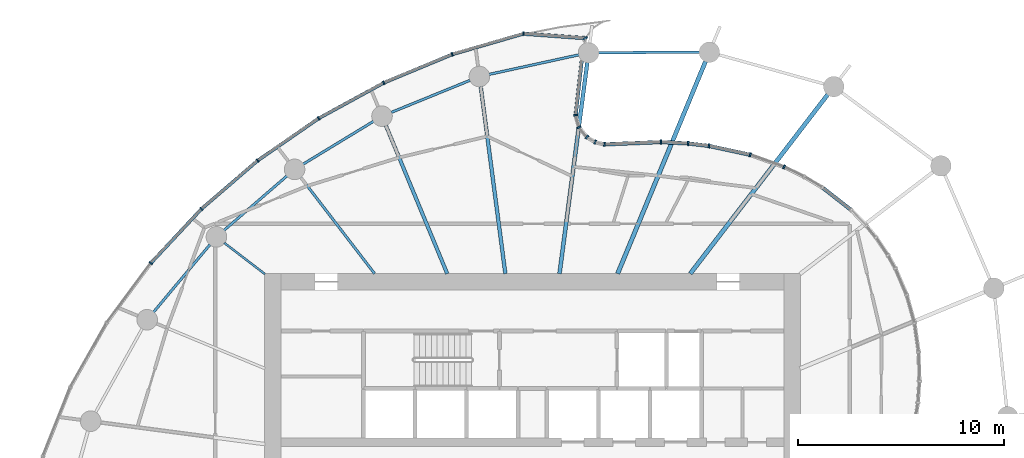
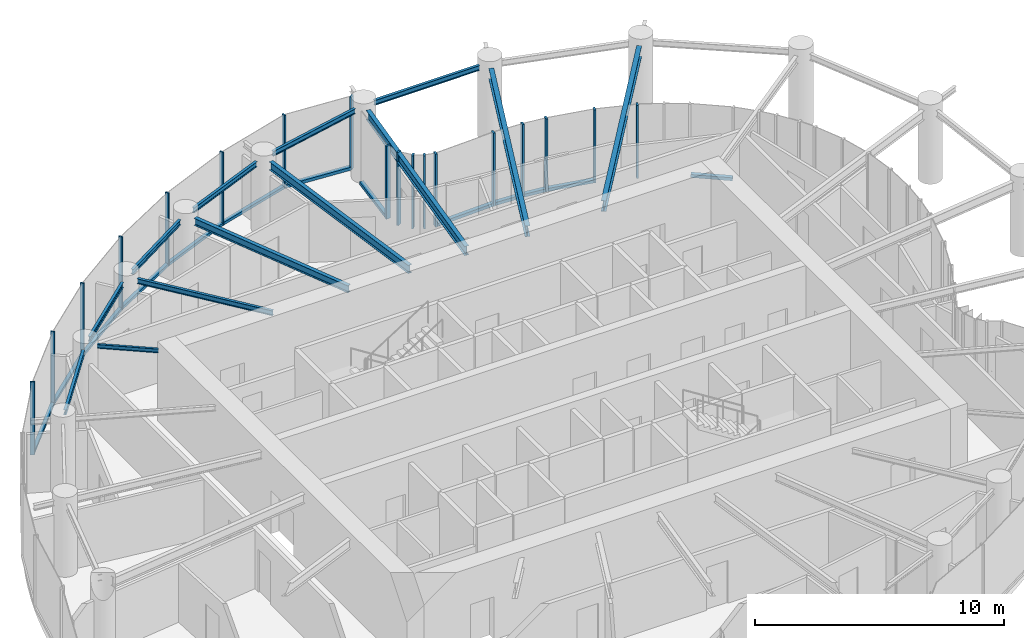
# One storey, part 6 of 19: 31 members, 13 beams, 5 elements without a shape of their own.
"""IFC4 building model written with IfcOpenShell, lengths in metres."""

from ifc_helpers import new_model, si_unit, direction, frame, origin, origin_2d, place, context, subcontext, project, spatial, rectangle, i_section, extrude, source, transform, mapped, material, layer, layer_set, material_profile, profile_set, type_object, element, aggregate, save


model = new_model("IFC4")

# Units and contexts
model_context = context("Model", 3, precision=1e-05, world=origin(), true_north=direction((0.0, 1.0)))
body_context = subcontext(model_context, "Body", "Model", "MODEL_VIEW")
ifc_project = project(units=[si_unit("LENGTHUNIT", "METRE"), si_unit("AREAUNIT", "SQUARE_METRE"), si_unit("VOLUMEUNIT", "CUBIC_METRE"), si_unit("PLANEANGLEUNIT", "RADIAN"), si_unit("MASSUNIT", "GRAM", prefix="KILO")], contexts=[model_context])

# Site, building, storey
site_placement = place(None, origin())
site = spatial("IfcSite", under=ifc_project, at=site_placement, CompositionType="ELEMENT")
building_placement = place(site_placement, origin())
building = spatial("IfcBuilding", under=site, at=building_placement, Name="Spindrift Exchange Tower", CompositionType="ELEMENT")
storey_placement = place(building_placement, frame((0.0, 0.0, 137.0)))
storey = spatial("IfcBuildingStorey", under=building, at=storey_placement, Name="L32", CompositionType="ELEMENT", Elevation=137.0)

# Beams
ifc_material_1 = material(Name="Steel Grade 300", Category="steel")
ifc_material_profile_1 = material_profile(ifc_material_1, i_section(OverallWidth=0.208984375, OverallDepth=0.528076171875, WebThickness=0.009521484375, FlangeThickness=0.01318359375, FilletRadius=0.013916015625, at=origin_2d()), Name="530UB82.0")
ifc_profile_set_1 = profile_set([ifc_material_profile_1], Name="Steel Grade 300")
beam_type_1 = type_object("IfcBeamType", Name="Floor Beam 530UB82.0 Steel Grade 300", PredefinedType="BEAM", material=ifc_profile_set_1)
shared_shape_1 = source(origin(), body_context, "Body", "SweptSolid", [
    extrude(i_section(OverallWidth=0.208984375, OverallDepth=0.528076171875, WebThickness=0.009521484375, FlangeThickness=0.01318359375, FilletRadius=0.013916015625, at=origin_2d()), origin(), (0.0, 0.0, 1.0), 10.959228515625),
])
beam_1_placement = place(storey_placement, frame((59.6611328125, 57.984130859375, 3.31591796875), z_axis=(0.608764008616, 0.793351360882, 0.0), x_axis=(-0.793351360882, 0.608764008616, 0.0)))
element("IfcBeam", 1, at=beam_1_placement, inside=storey, type_object=beam_type_1, Name="L32 radial beam R04A", PredefinedType="BEAM", context=body_context, shape_type="MappedRepresentation", body=[
    mapped(shared_shape_1, transform((0.0, 0.0, 0.0), scale=1.0)),
])
shared_shape_2 = source(origin(), body_context, "Body", "SweptSolid", [
    extrude(i_section(OverallWidth=0.208984375, OverallDepth=0.528076171875, WebThickness=0.009521484375, FlangeThickness=0.01318359375, FilletRadius=0.013916015625, at=origin_2d()), origin(), (0.0, 0.0, 1.0), 11.155029296875),
])
beam_2_placement = place(storey_placement, frame((56.134521484375, 57.9814453125, 3.31591796875), z_axis=(0.382679750175, 0.923881057716, 0.0), x_axis=(-0.923881057716, 0.382679750175, 0.0)))
element("IfcBeam", 2, at=beam_2_placement, inside=storey, type_object=beam_type_1, Name="L32 radial beam R05A", PredefinedType="BEAM", context=body_context, shape_type="MappedRepresentation", body=[
    mapped(shared_shape_2, transform((0.0, 0.0, 0.0), scale=1.0)),
])
ifc_material_profile_2 = material_profile(ifc_material_1, i_section(OverallWidth=0.18994140625, OverallDepth=0.4541015625, WebThickness=0.008544921875, FlangeThickness=0.0126953125, FilletRadius=0.013916015625, at=origin_2d()), Name="460UB67.1")
ifc_profile_set_2 = profile_set([ifc_material_profile_2], Name="Steel Grade 300")
beam_type_2 = type_object("IfcBeamType", Name="Floor Beam 460UB67.1 Steel Grade 300", PredefinedType="BEAM", material=ifc_profile_set_2)
shared_shape_3 = source(origin(), body_context, "Body", "SweptSolid", [
    extrude(i_section(OverallWidth=0.18994140625, OverallDepth=0.4541015625, WebThickness=0.008544921875, FlangeThickness=0.0126953125, FilletRadius=0.013916015625, at=origin_2d()), origin(), (0.0, 0.0, 1.0), 10.337646484375),
])
beam_3_placement = place(storey_placement, frame((53.31396484375, 57.980224609375, 3.35302734375), z_axis=(0.130528432357, 0.991444566452, 0.0), x_axis=(-0.991444566452, 0.130528432357, 0.0)))
element("IfcBeam", 3, at=beam_3_placement, inside=storey, type_object=beam_type_2, Name="L32 radial beam R06A", PredefinedType="BEAM", context=body_context, shape_type="MappedRepresentation", body=[
    mapped(shared_shape_3, transform((0.0, 0.0, 0.0), scale=1.0)),
])
ifc_material_profile_3 = material_profile(ifc_material_1, i_section(OverallWidth=0.177978515625, OverallDepth=0.403076171875, WebThickness=0.007568359375, FlangeThickness=0.010986328125, FilletRadius=0.013916015625, at=origin_2d()), Name="410UB53.7")
ifc_profile_set_3 = profile_set([ifc_material_profile_3], Name="Steel Grade 300")
beam_type_3 = type_object("IfcBeamType", Name="Floor Beam 410UB53.7 Steel Grade 300", PredefinedType="BEAM", material=ifc_profile_set_3)
shared_shape_4 = source(origin(), body_context, "Body", "SweptSolid", [
    extrude(i_section(OverallWidth=0.177978515625, OverallDepth=0.403076171875, WebThickness=0.007568359375, FlangeThickness=0.010986328125, FilletRadius=0.013916015625, at=origin_2d()), origin(), (0.0, 0.0, 1.0), 9.173583984375),
])
beam_4_placement = place(storey_placement, frame((50.68603515625, 57.980224609375, 3.37841796875), z_axis=(-0.130510963431, 0.991446866163, 0.0), x_axis=(-0.991446866163, -0.130510963431, 0.0)))
element("IfcBeam", 4, at=beam_4_placement, inside=storey, type_object=beam_type_3, Name="L32 radial beam R07A", PredefinedType="BEAM", context=body_context, shape_type="MappedRepresentation", body=[
    mapped(shared_shape_4, transform((0.0, 0.0, 0.0), scale=1.0)),
])
ifc_material_profile_4 = material_profile(ifc_material_1, i_section(OverallWidth=0.1708984375, OverallDepth=0.35205078125, WebThickness=0.0068359375, FlangeThickness=0.009765625, FilletRadius=0.013916015625, at=origin_2d()), Name="360UB44.7")
ifc_profile_set_4 = profile_set([ifc_material_profile_4], Name="Steel Grade 300")
beam_type_4 = type_object("IfcBeamType", Name="Floor Beam 360UB44.7 Steel Grade 300", PredefinedType="BEAM", material=ifc_profile_set_4)
shared_shape_5 = source(origin(), body_context, "Body", "SweptSolid", [
    extrude(i_section(OverallWidth=0.1708984375, OverallDepth=0.35205078125, WebThickness=0.0068359375, FlangeThickness=0.009765625, FilletRadius=0.013916015625, at=origin_2d()), origin(), (0.0, 0.0, 1.0), 7.794189453125),
])
beam_5_placement = place(storey_placement, frame((47.865478515625, 57.9814453125, 3.404052734375), z_axis=(-0.382677309185, 0.923882068792, 0.0), x_axis=(-0.923882068792, -0.382677309185, 0.0)))
element("IfcBeam", 5, at=beam_5_placement, inside=storey, type_object=beam_type_4, Name="L32 radial beam R08A", PredefinedType="BEAM", context=body_context, shape_type="MappedRepresentation", body=[
    mapped(shared_shape_5, transform((0.0, 0.0, 0.0), scale=1.0)),
])
ifc_material_profile_5 = material_profile(ifc_material_1, i_section(OverallWidth=0.1240234375, OverallDepth=0.248046875, WebThickness=0.0048828125, FlangeThickness=0.008056640625, FilletRadius=0.011962890625, at=origin_2d()), Name="250UB25.7")
ifc_profile_set_5 = profile_set([ifc_material_profile_5], Name="Steel Grade 300")
beam_type_5 = type_object("IfcBeamType", Name="Floor Beam 250UB25.7 Steel Grade 300", PredefinedType="BEAM", material=ifc_profile_set_5)
shared_shape_6 = source(origin(), body_context, "Body", "SweptSolid", [
    extrude(i_section(OverallWidth=0.1240234375, OverallDepth=0.248046875, WebThickness=0.0048828125, FlangeThickness=0.008056640625, FilletRadius=0.011962890625, at=origin_2d()), origin(), (0.0, 0.0, 1.0), 5.898193359375),
])
beam_6_placement = place(storey_placement, frame((44.3388671875, 57.984130859375, 3.4560546875), z_axis=(-0.608752144407, 0.79336046453, 0.0), x_axis=(-0.79336046453, -0.608752144407, 0.0)))
element("IfcBeam", 6, at=beam_6_placement, inside=storey, type_object=beam_type_5, Name="L32 radial beam R09A", PredefinedType="BEAM", context=body_context, shape_type="MappedRepresentation", body=[
    mapped(shared_shape_6, transform((0.0, 0.0, 0.0), scale=1.0)),
])
ifc_material_profile_6 = material_profile(ifc_material_1, i_section(OverallWidth=0.09912109375, OverallDepth=0.197998046875, WebThickness=0.00439453125, FlangeThickness=0.007080078125, FilletRadius=0.010986328125, at=origin_2d()), Name="200UB18.2")
ifc_profile_set_6 = profile_set([ifc_material_profile_6], Name="Steel Grade 300")
beam_type_6 = type_object("IfcBeamType", Name="Floor Beam 200UB18.2 Steel Grade 300", PredefinedType="BEAM", material=ifc_profile_set_6)
shared_shape_7 = source(origin(), body_context, "Body", "SweptSolid", [
    extrude(i_section(OverallWidth=0.09912109375, OverallDepth=0.197998046875, WebThickness=0.00439453125, FlangeThickness=0.007080078125, FilletRadius=0.010986328125, at=origin_2d()), origin(), (0.0, 0.0, 1.0), 2.48486328125),
])
beam_7_placement = place(storey_placement, frame((39.015869140625, 57.963134765625, 3.48095703125), z_axis=(-0.793361189889, 0.608751199077, 0.0), x_axis=(-0.608751199077, -0.793361189889, 0.0)))
element("IfcBeam", 7, at=beam_7_placement, inside=storey, type_object=beam_type_6, Name="L32 radial beam R10A", PredefinedType="BEAM", context=body_context, shape_type="MappedRepresentation", body=[
    mapped(shared_shape_7, transform((0.0, 0.0, 0.0), scale=1.0)),
])
ifc_material_profile_7 = material_profile(ifc_material_1, i_section(OverallWidth=0.1240234375, OverallDepth=0.248046875, WebThickness=0.0048828125, FlangeThickness=0.008056640625, FilletRadius=0.011962890625, at=origin_2d()), Name="250UB25.7")
ifc_profile_set_7 = profile_set([ifc_material_profile_7], Name="Steel Grade 300")
beam_type_7 = type_object("IfcBeamType", Name="Edge Beam 250UB25.7 Steel Grade 300", PredefinedType="SPANDREL", material=ifc_profile_set_7)
shared_shape_8 = source(origin(), body_context, "Body", "SweptSolid", [
    extrude(i_section(OverallWidth=0.1240234375, OverallDepth=0.248046875, WebThickness=0.0048828125, FlangeThickness=0.008056640625, FilletRadius=0.011962890625, at=origin_2d()), origin(), (0.0, 0.0, 1.0), 4.901123046875),
])
beam_8_placement = place(storey_placement, frame((60.10693359375, 68.728759765625, 3.4560546875), z_axis=(-0.999990609444, -0.004333707747, 0.0), x_axis=(0.004333707747, -0.999990609444, 0.0)))
element("IfcBeam", 8, at=beam_8_placement, inside=storey, type_object=beam_type_7, Name="L32 edge beam E05", PredefinedType="SPANDREL", context=body_context, shape_type="MappedRepresentation", body=[
    mapped(shared_shape_8, transform((0.0, 0.0, 0.0), scale=1.0)),
])
shared_shape_9 = source(origin(), body_context, "Body", "SweptSolid", [
    extrude(i_section(OverallWidth=0.1240234375, OverallDepth=0.248046875, WebThickness=0.0048828125, FlangeThickness=0.008056640625, FilletRadius=0.011962890625, at=origin_2d()), origin(), (0.0, 0.0, 1.0), 4.464111328125),
])
beam_9_placement = place(storey_placement, frame((54.2568359375, 68.603271484375, 3.4560546875), z_axis=(-0.977095837978, -0.212799726048, 0.0), x_axis=(0.212799726048, -0.977095837978, 0.0)))
element("IfcBeam", 9, at=beam_9_placement, inside=storey, type_object=beam_type_7, Name="L32 edge beam E06", PredefinedType="SPANDREL", context=body_context, shape_type="MappedRepresentation", body=[
    mapped(shared_shape_9, transform((0.0, 0.0, 0.0), scale=1.0)),
])
shared_shape_10 = source(origin(), body_context, "Body", "SweptSolid", [
    extrude(i_section(OverallWidth=0.1240234375, OverallDepth=0.248046875, WebThickness=0.0048828125, FlangeThickness=0.008056640625, FilletRadius=0.011962890625, at=origin_2d()), origin(), (0.0, 0.0, 1.0), 4.143798828125),
])
beam_10_placement = place(storey_placement, frame((48.9814453125, 67.3701171875, 3.4560546875), z_axis=(-0.926113706975, -0.377244485385, 0.0), x_axis=(0.377244485385, -0.926113706975, 0.0)))
element("IfcBeam", 10, at=beam_10_placement, inside=storey, type_object=beam_type_7, Name="L32 edge beam E07", PredefinedType="SPANDREL", context=body_context, shape_type="MappedRepresentation", body=[
    mapped(shared_shape_10, transform((0.0, 0.0, 0.0), scale=1.0)),
])
shared_shape_11 = source(origin(), body_context, "Body", "SweptSolid", [
    extrude(i_section(OverallWidth=0.1240234375, OverallDepth=0.248046875, WebThickness=0.0048828125, FlangeThickness=0.008056640625, FilletRadius=0.011962890625, at=origin_2d()), origin(), (0.0, 0.0, 1.0), 4.00634765625),
])
beam_11_placement = place(storey_placement, frame((44.2890625, 65.376220703125, 3.4560546875), z_axis=(-0.854331495603, -0.519728482596, 0.0), x_axis=(0.519728482596, -0.854331495603, 0.0)))
element("IfcBeam", 11, at=beam_11_placement, inside=storey, type_object=beam_type_7, Name="L32 edge beam E08", PredefinedType="SPANDREL", context=body_context, shape_type="MappedRepresentation", body=[
    mapped(shared_shape_11, transform((0.0, 0.0, 0.0), scale=1.0)),
])
shared_shape_12 = source(origin(), body_context, "Body", "SweptSolid", [
    extrude(i_section(OverallWidth=0.1240234375, OverallDepth=0.248046875, WebThickness=0.0048828125, FlangeThickness=0.008056640625, FilletRadius=0.011962890625, at=origin_2d()), origin(), (0.0, 0.0, 1.0), 4.052001953125),
])
beam_12_placement = place(storey_placement, frame((40.093017578125, 62.730712890625, 3.4560546875), z_axis=(-0.756715968535, -0.65374379, 0.0), x_axis=(0.65374379, -0.756715968535, 0.0)))
element("IfcBeam", 12, at=beam_12_placement, inside=storey, type_object=beam_type_7, Name="L32 edge beam E09", PredefinedType="SPANDREL", context=body_context, shape_type="MappedRepresentation", body=[
    mapped(shared_shape_12, transform((0.0, 0.0, 0.0), scale=1.0)),
])
shared_shape_13 = source(origin(), body_context, "Body", "SweptSolid", [
    extrude(i_section(OverallWidth=0.1240234375, OverallDepth=0.248046875, WebThickness=0.0048828125, FlangeThickness=0.008056640625, FilletRadius=0.011962890625, at=origin_2d()), origin(), (0.0, 0.0, 1.0), 4.282958984375),
])
beam_13_placement = place(storey_placement, frame((36.355712890625, 59.399658203125, 3.4560546875), z_axis=(-0.641400288548, -0.767206406289, 0.0), x_axis=(0.767206406289, -0.641400288548, 0.0)))
element("IfcBeam", 13, at=beam_13_placement, inside=storey, type_object=beam_type_7, Name="L32 edge beam E10", PredefinedType="SPANDREL", context=body_context, shape_type="MappedRepresentation", body=[
    mapped(shared_shape_13, transform((0.0, 0.0, 0.0), scale=1.0)),
])

# Curtain wall, members
ifc_material_2 = material(Name="Fritted laminated glass with bronze frame", Category="glass")
ifc_layer_1 = layer(ifc_material_2, 0.179931640625)
ifc_layer_set_1 = layer_set([ifc_layer_1], Name="ZONE 3 BRONZE FRITTED WALL")
curtain_wall_type_1 = type_object("IfcCurtainWallType", Name="ZONE 3 BRONZE FRITTED WALL", PredefinedType="NOTDEFINED", material=ifc_layer_set_1)
curtain_wall_1_placement = place(storey_placement, origin())
curtain_wall_1 = element("IfcCurtainWall", 14, at=curtain_wall_1_placement, inside=storey, type_object=curtain_wall_type_1, Name="L32 Zone 3 Bronze Fritted Wall run 1", PredefinedType="NOTDEFINED")
ifc_material_3 = material(Name="Bronze anodised aluminium", Category="aluminium")
ifc_material_profile_8 = material_profile(ifc_material_3, rectangle(XDim=0.159912109375, YDim=0.1298828125, at=origin_2d()), Name="ZONE 3 BRONZE FRITTED WALL TRANSOM 160X130")
ifc_profile_set_8 = profile_set([ifc_material_profile_8], Name="Bronze anodised aluminium")
member_type_1 = type_object("IfcMemberType", Name="ZONE 3 BRONZE FRITTED WALL TRANSOM 160X130", PredefinedType="USERDEFINED", material=ifc_profile_set_8)
shared_shape_14 = source(origin(), body_context, "Body", "SweptSolid", [
    extrude(rectangle(XDim=0.159912109375, YDim=0.1298828125, at=origin_2d()), origin(), (0.0, 0.0, 1.0), 3.53076171875),
])
member_1_placement = place(storey_placement, frame((51.53466796875, 69.62060546875, 0.06494140625), z_axis=(-0.960467973854, -0.278390501277, 0.0), x_axis=(0.278390501277, -0.960467973854, 0.0)))
member_1 = element("IfcMember", 15, at=member_1_placement, type_object=member_type_1, Name="L32 transom CW-3.1", ObjectType="TRANSOM", PredefinedType="USERDEFINED", context=body_context, shape_type="MappedRepresentation", body=[
    mapped(shared_shape_14, transform((0.0, 0.0, 0.0), scale=1.0)),
])
member_2_placement = place(storey_placement, frame((48.07763671875, 68.614501953125, 0.06494140625), z_axis=(-0.92366094205, -0.383210730711, 0.0), x_axis=(0.383210730711, -0.92366094205, 0.0)))
member_2 = element("IfcMember", 16, at=member_2_placement, type_object=member_type_1, Name="L32 transom CW-3.2", ObjectType="TRANSOM", PredefinedType="USERDEFINED", context=body_context, shape_type="MappedRepresentation", body=[
    mapped(shared_shape_14, transform((0.0, 0.0, 0.0), scale=1.0)),
])
member_3_placement = place(storey_placement, frame((44.75341796875, 67.231201171875, 0.06494140625), z_axis=(-0.87752800567, -0.479525389593, 0.0), x_axis=(0.479525389593, -0.87752800567, 0.0)))
member_3 = element("IfcMember", 17, at=member_3_placement, type_object=member_type_1, Name="L32 transom CW-3.3", ObjectType="TRANSOM", PredefinedType="USERDEFINED", context=body_context, shape_type="MappedRepresentation", body=[
    mapped(shared_shape_14, transform((0.0, 0.0, 0.0), scale=1.0)),
])
member_4_placement = place(storey_placement, frame((38.635986328125, 63.4501953125, 0.06494140625), z_axis=(-0.757893199718, -0.652378646049, 0.0), x_axis=(0.652378646049, -0.757893199718, 0.0)))
member_4 = element("IfcMember", 18, at=member_4_placement, type_object=member_type_1, Name="L32 transom CW-3.5", ObjectType="TRANSOM", PredefinedType="USERDEFINED", context=body_context, shape_type="MappedRepresentation", body=[
    mapped(shared_shape_14, transform((0.0, 0.0, 0.0), scale=1.0)),
])
member_5_placement = place(storey_placement, frame((35.90966796875, 61.098388671875, 0.06494140625), z_axis=(-0.682704960437, -0.730694147366, 0.0), x_axis=(0.730694147366, -0.682704960437, 0.0)))
member_5 = element("IfcMember", 19, at=member_5_placement, type_object=member_type_1, Name="L32 transom CW-3.6", ObjectType="TRANSOM", PredefinedType="USERDEFINED", context=body_context, shape_type="MappedRepresentation", body=[
    mapped(shared_shape_14, transform((0.0, 0.0, 0.0), scale=1.0)),
])
shared_shape_15 = source(origin(), body_context, "Body", "SweptSolid", [
    extrude(rectangle(XDim=0.159912109375, YDim=0.1298828125, at=origin_2d()), origin(), (0.0, 0.0, 1.0), 3.531005859375),
])
member_6_placement = place(storey_placement, frame((41.595458984375, 65.50146484375, 0.06494140625), z_axis=(-0.822450976431, -0.568835996898, 0.0), x_axis=(0.568835996898, -0.822450976431, 0.0)))
member_6 = element("IfcMember", 20, at=member_6_placement, type_object=member_type_1, Name="L32 transom CW-3.4", ObjectType="TRANSOM", PredefinedType="USERDEFINED", context=body_context, shape_type="MappedRepresentation", body=[
    mapped(shared_shape_15, transform((0.0, 0.0, 0.0), scale=1.0)),
])

# Curtain wall, member
ifc_layer_2 = layer(ifc_material_2, 0.199951171875)
ifc_layer_set_2 = layer_set([ifc_layer_2], Name="SKY GARDEN BRONZE GLAZED WALL")
curtain_wall_type_2 = type_object("IfcCurtainWallType", Name="SKY GARDEN BRONZE GLAZED WALL", PredefinedType="NOTDEFINED", material=ifc_layer_set_2)
curtain_wall_2_placement = place(storey_placement, origin())
curtain_wall_2 = element("IfcCurtainWall", 21, at=curtain_wall_2_placement, inside=storey, type_object=curtain_wall_type_2, Name="L32 Sky Garden Bronze Glazed Wall run 9", PredefinedType="NOTDEFINED")
ifc_material_profile_9 = material_profile(ifc_material_3, rectangle(XDim=0.179931640625, YDim=0.14990234375, at=origin_2d()), Name="SKY GARDEN BRONZE GLAZED WALL TRANSOM 180X150")
ifc_profile_set_9 = profile_set([ifc_material_profile_9], Name="Bronze anodised aluminium")
member_type_2 = type_object("IfcMemberType", Name="SKY GARDEN BRONZE GLAZED WALL TRANSOM 180X150", PredefinedType="USERDEFINED", material=ifc_profile_set_9)
shared_shape_16 = source(origin(), body_context, "Body", "SweptSolid", [
    extrude(rectangle(XDim=0.179931640625, YDim=0.14990234375, at=origin_2d()), origin(), (0.0, 0.0, 1.0), 1.68798828125),
])
member_7_placement = place(storey_placement, frame((67.440673828125, 61.095947265625, 0.074951171875), z_axis=(-0.787721661337, 0.616031317597, 0.0), x_axis=(-0.616031317597, -0.787721661337, 0.0)))
member_7 = element("IfcMember", 22, at=member_7_placement, type_object=member_type_2, Name="L32 transom CW-G.48", ObjectType="TRANSOM", PredefinedType="USERDEFINED", context=body_context, shape_type="MappedRepresentation", body=[
    mapped(shared_shape_16, transform((0.0, 0.0, 0.0), scale=1.0)),
])

# Curtain wall, members
curtain_wall_3_placement = place(storey_placement, origin())
curtain_wall_3 = element("IfcCurtainWall", 23, at=curtain_wall_3_placement, inside=storey, type_object=curtain_wall_type_2, Name="L32 Sky Garden Bronze Glazed Wall run 10", PredefinedType="NOTDEFINED")
shared_shape_17 = source(origin(), body_context, "Body", "SweptSolid", [
    extrude(rectangle(XDim=0.179931640625, YDim=0.14990234375, at=origin_2d()), origin(), (0.0, 0.0, 1.0), 0.93701171875),
])
member_8_placement = place(storey_placement, frame((60.528076171875, 64.187255859375, 0.074951171875), z_axis=(-0.993104290837, 0.117234242098, 0.0), x_axis=(-0.117234242098, -0.993104290837, 0.0)))
member_8 = element("IfcMember", 24, at=member_8_placement, type_object=member_type_2, Name="L32 transom CW-G.53", ObjectType="TRANSOM", PredefinedType="USERDEFINED", context=body_context, shape_type="MappedRepresentation", body=[
    mapped(shared_shape_17, transform((0.0, 0.0, 0.0), scale=1.0)),
])
shared_shape_18 = source(origin(), body_context, "Body", "SweptSolid", [
    extrude(rectangle(XDim=0.179931640625, YDim=0.14990234375, at=origin_2d()), origin(), (0.0, 0.0, 1.0), 1.231201171875),
])
member_9_placement = place(storey_placement, frame((59.512939453125, 64.30419921875, 0.074951171875), z_axis=(-0.998659688457, 0.051757382583, 0.0), x_axis=(-0.051757382583, -0.998659688457, 0.0)))
member_9 = element("IfcMember", 25, at=member_9_placement, type_object=member_type_2, Name="L32 transom CW-G.54", ObjectType="TRANSOM", PredefinedType="USERDEFINED", context=body_context, shape_type="MappedRepresentation", body=[
    mapped(shared_shape_18, transform((0.0, 0.0, 0.0), scale=1.0)),
])

# Curtain wall, member
curtain_wall_4_placement = place(storey_placement, origin())
curtain_wall_4 = element("IfcCurtainWall", 26, at=curtain_wall_4_placement, inside=storey, type_object=curtain_wall_type_2, Name="L32 Sky Garden Bronze Glazed Wall run 11", PredefinedType="NOTDEFINED")
shared_shape_19 = source(origin(), body_context, "Body", "SweptSolid", [
    extrude(rectangle(XDim=0.179931640625, YDim=0.14990234375, at=origin_2d()), origin(), (0.0, 0.0, 1.0), 2.93701171875),
])
member_10_placement = place(storey_placement, frame((54.5400390625, 69.415283203125, 0.074951171875), z_axis=(-0.997387747687, 0.072233515521, 0.0), x_axis=(-0.072233515521, -0.997387747687, 0.0)))
member_10 = element("IfcMember", 27, at=member_10_placement, type_object=member_type_2, Name="L32 transom CW-G.62", ObjectType="TRANSOM", PredefinedType="USERDEFINED", context=body_context, shape_type="MappedRepresentation", body=[
    mapped(shared_shape_19, transform((0.0, 0.0, 0.0), scale=1.0)),
])

# Member
ifc_material_profile_10 = material_profile(ifc_material_3, rectangle(XDim=0.070068359375, YDim=0.179931640625, at=origin_2d()), Name="ZONE 3 BRONZE FRITTED WALL MULLION 70X180")
ifc_profile_set_10 = profile_set([ifc_material_profile_10], Name="Bronze anodised aluminium")
member_type_3 = type_object("IfcMemberType", Name="ZONE 3 BRONZE FRITTED WALL MULLION 70X180", PredefinedType="MULLION", material=ifc_profile_set_10)
shared_shape_20 = source(origin(), body_context, "Body", "SweptSolid", [
    extrude(rectangle(XDim=0.070068359375, YDim=0.179931640625, at=origin_2d()), origin(), (0.0, 0.0, 1.0), 3.580078125),
])
member_11_placement = place(storey_placement, frame((51.568115234375, 69.63037109375, 0.0), z_axis=(0.0, 0.0, 1.0), x_axis=(-0.994500024703, -0.104736339753, 0.0)))
member_11 = element("IfcMember", 28, at=member_11_placement, type_object=member_type_3, Name="L32 mullion CW-3.1", PredefinedType="MULLION", context=body_context, shape_type="MappedRepresentation", body=[
    mapped(shared_shape_20, transform((0.0, 0.0, 0.0), scale=1.0)),
])

member_12_placement = place(storey_placement, frame((48.10986328125, 68.6279296875, 0.0), z_axis=(0.0, 0.0, 1.0), x_axis=(-0.94351693889, -0.331324291334, 0.0)))
member_12 = element("IfcMember", 29, at=member_12_placement, type_object=member_type_3, Name="L32 mullion CW-3.2", PredefinedType="MULLION", context=body_context, shape_type="MappedRepresentation", body=[
    mapped(shared_shape_20, transform((0.0, 0.0, 0.0), scale=1.0)),
])

member_13_placement = place(storey_placement, frame((44.7841796875, 67.248046875, 0.0), z_axis=(0.0, 0.0, 1.0), x_axis=(-0.901877940736, -0.431990948996, 0.0)))
member_13 = element("IfcMember", 30, at=member_13_placement, type_object=member_type_3, Name="L32 mullion CW-3.3", PredefinedType="MULLION", context=body_context, shape_type="MappedRepresentation", body=[
    mapped(shared_shape_20, transform((0.0, 0.0, 0.0), scale=1.0)),
])

member_14_placement = place(storey_placement, frame((41.624267578125, 65.521484375, 0.0), z_axis=(0.0, 0.0, 1.0), x_axis=(-0.851160294176, -0.524905852147, 0.0)))
member_14 = element("IfcMember", 31, at=member_14_placement, type_object=member_type_3, Name="L32 mullion CW-3.4", PredefinedType="MULLION", context=body_context, shape_type="MappedRepresentation", body=[
    mapped(shared_shape_20, transform((0.0, 0.0, 0.0), scale=1.0)),
])

member_15_placement = place(storey_placement, frame((38.66259765625, 63.472900390625, 0.0), z_axis=(0.0, 0.0, 1.0), x_axis=(-0.791281483394, -0.611452053752, 0.0)))
member_15 = element("IfcMember", 32, at=member_15_placement, type_object=member_type_3, Name="L32 mullion CW-3.5", PredefinedType="MULLION", context=body_context, shape_type="MappedRepresentation", body=[
    mapped(shared_shape_20, transform((0.0, 0.0, 0.0), scale=1.0)),
])

member_16_placement = place(storey_placement, frame((35.93359375, 61.1240234375, 0.0), z_axis=(0.0, 0.0, 1.0), x_axis=(-0.721366777632, -0.692553226928, 0.0)))
member_16 = element("IfcMember", 33, at=member_16_placement, type_object=member_type_3, Name="L32 mullion CW-3.6", PredefinedType="MULLION", context=body_context, shape_type="MappedRepresentation", body=[
    mapped(shared_shape_20, transform((0.0, 0.0, 0.0), scale=1.0)),
])

aggregate(curtain_wall_1, [member_11, member_1, member_12, member_2, member_13, member_3, member_14, member_6, member_15, member_4, member_16, member_5])

# Curtain wall, member
curtain_wall_5_placement = place(storey_placement, origin())
curtain_wall_5 = element("IfcCurtainWall", 34, at=curtain_wall_5_placement, inside=storey, type_object=curtain_wall_type_1, Name="L32 Zone 3 Bronze Fritted Wall run 2", PredefinedType="NOTDEFINED")
member_17_placement = place(storey_placement, frame((33.475341796875, 58.492919921875, 0.0), z_axis=(0.0, 0.0, 1.0), x_axis=(-0.639818077143, -0.768526400432, 0.0)))
member_17 = element("IfcMember", 35, at=member_17_placement, type_object=member_type_3, Name="L32 mullion CW-3.7", PredefinedType="MULLION", context=body_context, shape_type="MappedRepresentation", body=[
    mapped(shared_shape_20, transform((0.0, 0.0, 0.0), scale=1.0)),
])
aggregate(curtain_wall_5, [member_17])

# Member
ifc_material_profile_11 = material_profile(ifc_material_3, rectangle(XDim=0.0849609375, YDim=0.199951171875, at=origin_2d()), Name="SKY GARDEN BRONZE GLAZED WALL MULLION 85X200")
ifc_profile_set_11 = profile_set([ifc_material_profile_11], Name="Bronze anodised aluminium")
member_type_4 = type_object("IfcMemberType", Name="SKY GARDEN BRONZE GLAZED WALL MULLION 85X200", PredefinedType="MULLION", material=ifc_profile_set_11)
shared_shape_21 = source(origin(), body_context, "Body", "SweptSolid", [
    extrude(rectangle(XDim=0.0849609375, YDim=0.199951171875, at=origin_2d()), origin(), (0.0, 0.0, 1.0), 3.580078125),
])
member_18_placement = place(storey_placement, frame((64.21240234375, 63.16552734375, 0.0), z_axis=(0.0, 0.0, 1.0), x_axis=(-0.92243587357, 0.386150306423, 0.0)))
member_18 = element("IfcMember", 36, at=member_18_placement, type_object=member_type_4, Name="L32 mullion CW-G.51", PredefinedType="MULLION", context=body_context, shape_type="MappedRepresentation", body=[
    mapped(shared_shape_21, transform((0.0, 0.0, 0.0), scale=1.0)),
])

aggregate(curtain_wall_2, [member_7, member_18])

member_19_placement = place(storey_placement, frame((62.56640625, 63.752197265625, 0.0), z_axis=(0.0, 0.0, 1.0), x_axis=(-0.961790709493, 0.273785739464, 0.0)))
member_19 = element("IfcMember", 37, at=member_19_placement, type_object=member_type_4, Name="L32 mullion CW-G.52", PredefinedType="MULLION", context=body_context, shape_type="MappedRepresentation", body=[
    mapped(shared_shape_21, transform((0.0, 0.0, 0.0), scale=1.0)),
])

member_20_placement = place(storey_placement, frame((60.5703125, 64.182373046875, 0.0), z_axis=(0.0, 0.0, 1.0), x_axis=(-0.986450855573, 0.16405703136, 0.0)))
member_20 = element("IfcMember", 38, at=member_20_placement, type_object=member_type_4, Name="L32 mullion CW-G.53", PredefinedType="MULLION", context=body_context, shape_type="MappedRepresentation", body=[
    mapped(shared_shape_21, transform((0.0, 0.0, 0.0), scale=1.0)),
])

member_21_placement = place(storey_placement, frame((59.555419921875, 64.302001953125, 0.0), z_axis=(0.0, 0.0, 1.0), x_axis=(-0.9964319352, 0.084400228164, 0.0)))
member_21 = element("IfcMember", 39, at=member_21_placement, type_object=member_type_4, Name="L32 mullion CW-G.54", PredefinedType="MULLION", context=body_context, shape_type="MappedRepresentation", body=[
    mapped(shared_shape_21, transform((0.0, 0.0, 0.0), scale=1.0)),
])

member_22_placement = place(storey_placement, frame((58.240966796875, 64.3701171875, 0.0), z_axis=(0.0, 0.0, 1.0), x_axis=(-0.999984232191, 0.005615636154, 0.0)))
member_22 = element("IfcMember", 40, at=member_22_placement, type_object=member_type_4, Name="L32 mullion CW-G.55", PredefinedType="MULLION", context=body_context, shape_type="MappedRepresentation", body=[
    mapped(shared_shape_21, transform((0.0, 0.0, 0.0), scale=1.0)),
])

member_23_placement = place(storey_placement, frame((55.49365234375, 64.259033203125, 0.0), z_axis=(0.0, 0.0, 1.0), x_axis=(-0.994630174041, 0.103493076514, 0.0)))
member_23 = element("IfcMember", 41, at=member_23_placement, type_object=member_type_4, Name="L32 mullion CW-G.56", PredefinedType="MULLION", context=body_context, shape_type="MappedRepresentation", body=[
    mapped(shared_shape_21, transform((0.0, 0.0, 0.0), scale=1.0)),
])

member_24_placement = place(storey_placement, frame((55.0419921875, 64.373291015625, 0.0), z_axis=(0.0, 0.0, 1.0), x_axis=(-0.921929630641, 0.387357401047, 0.0)))
member_24 = element("IfcMember", 42, at=member_24_placement, type_object=member_type_4, Name="L32 mullion CW-G.57", PredefinedType="MULLION", context=body_context, shape_type="MappedRepresentation", body=[
    mapped(shared_shape_21, transform((0.0, 0.0, 0.0), scale=1.0)),
])

member_25_placement = place(storey_placement, frame((54.648681640625, 64.61328125, 0.0), z_axis=(0.0, 0.0, 1.0), x_axis=(-0.750604529076, 0.660751724122, 0.0)))
member_25 = element("IfcMember", 43, at=member_25_placement, type_object=member_type_4, Name="L32 mullion CW-G.58", PredefinedType="MULLION", context=body_context, shape_type="MappedRepresentation", body=[
    mapped(shared_shape_21, transform((0.0, 0.0, 0.0), scale=1.0)),
])

member_26_placement = place(storey_placement, frame((54.265869140625, 65.091552734375, 0.0), z_axis=(0.0, 0.0, 1.0), x_axis=(-0.458242559912, 0.888827180213, 0.0)))
member_26 = element("IfcMember", 44, at=member_26_placement, type_object=member_type_4, Name="L32 mullion CW-G.59", PredefinedType="MULLION", context=body_context, shape_type="MappedRepresentation", body=[
    mapped(shared_shape_21, transform((0.0, 0.0, 0.0), scale=1.0)),
])

member_27_placement = place(storey_placement, frame((54.098388671875, 65.680908203125, 0.0), z_axis=(0.0, 0.0, 1.0), x_axis=(-0.083362391417, 0.996519298206, 0.0)))
member_27 = element("IfcMember", 45, at=member_27_placement, type_object=member_type_4, Name="L32 mullion CW-G.60", PredefinedType="MULLION", context=body_context, shape_type="MappedRepresentation", body=[
    mapped(shared_shape_21, transform((0.0, 0.0, 0.0), scale=1.0)),
])

member_28_placement = place(storey_placement, frame((54.58251953125, 69.412109375, 0.0), z_axis=(0.0, 0.0, 1.0), x_axis=(-0.577739693608, 0.816221076933, 0.0)))
member_28 = element("IfcMember", 46, at=member_28_placement, type_object=member_type_4, Name="L32 mullion CW-G.62", PredefinedType="MULLION", context=body_context, shape_type="MappedRepresentation", body=[
    mapped(shared_shape_21, transform((0.0, 0.0, 0.0), scale=1.0)),
])

shared_shape_22 = source(origin(), body_context, "Body", "SweptSolid", [
    extrude(rectangle(XDim=0.179931640625, YDim=0.14990234375, at=origin_2d()), origin(), (0.0, 0.0, 1.0), 1.95703125),
])
member_29_placement = place(storey_placement, frame((62.52490234375, 63.76123046875, 0.074951171875), z_axis=(-0.977575459768, 0.210585423186, 0.0), x_axis=(-0.210585423186, -0.977575459768, 0.0)))
member_29 = element("IfcMember", 47, at=member_29_placement, type_object=member_type_2, Name="L32 transom CW-G.52", ObjectType="TRANSOM", PredefinedType="USERDEFINED", context=body_context, shape_type="MappedRepresentation", body=[
    mapped(shared_shape_22, transform((0.0, 0.0, 0.0), scale=1.0)),
])

shared_shape_23 = source(origin(), body_context, "Body", "SweptSolid", [
    extrude(rectangle(XDim=0.179931640625, YDim=0.14990234375, at=origin_2d()), origin(), (0.0, 0.0, 1.0), 2.66455078125),
])
member_30_placement = place(storey_placement, frame((58.198486328125, 64.3681640625, 0.074951171875), z_axis=(-0.999186993272, -0.040315660435, 0.0), x_axis=(0.040315660435, -0.999186993272, 0.0)))
member_30 = element("IfcMember", 48, at=member_30_placement, type_object=member_type_2, Name="L32 transom CW-G.55", ObjectType="TRANSOM", PredefinedType="USERDEFINED", context=body_context, shape_type="MappedRepresentation", body=[
    mapped(shared_shape_23, transform((0.0, 0.0, 0.0), scale=1.0)),
])

aggregate(curtain_wall_3, [member_19, member_29, member_20, member_8, member_21, member_9, member_22, member_30, member_23, member_24])

shared_shape_24 = source(origin(), body_context, "Body", "SweptSolid", [
    extrude(rectangle(XDim=0.179931640625, YDim=0.14990234375, at=origin_2d()), origin(), (0.0, 0.0, 1.0), 2.570556640625),
])
member_31_placement = place(storey_placement, frame((54.10302734375, 65.72314453125, 0.074951171875), z_axis=(0.109889440609, 0.993943816744, 0.0), x_axis=(-0.993943816744, 0.109889440609, 0.0)))
member_31 = element("IfcMember", 49, at=member_31_placement, type_object=member_type_2, Name="L32 transom CW-G.60", ObjectType="TRANSOM", PredefinedType="USERDEFINED", context=body_context, shape_type="MappedRepresentation", body=[
    mapped(shared_shape_24, transform((0.0, 0.0, 0.0), scale=1.0)),
])

aggregate(curtain_wall_4, [member_25, member_26, member_27, member_31, member_28, member_10])

save(model, "model.ifc")
